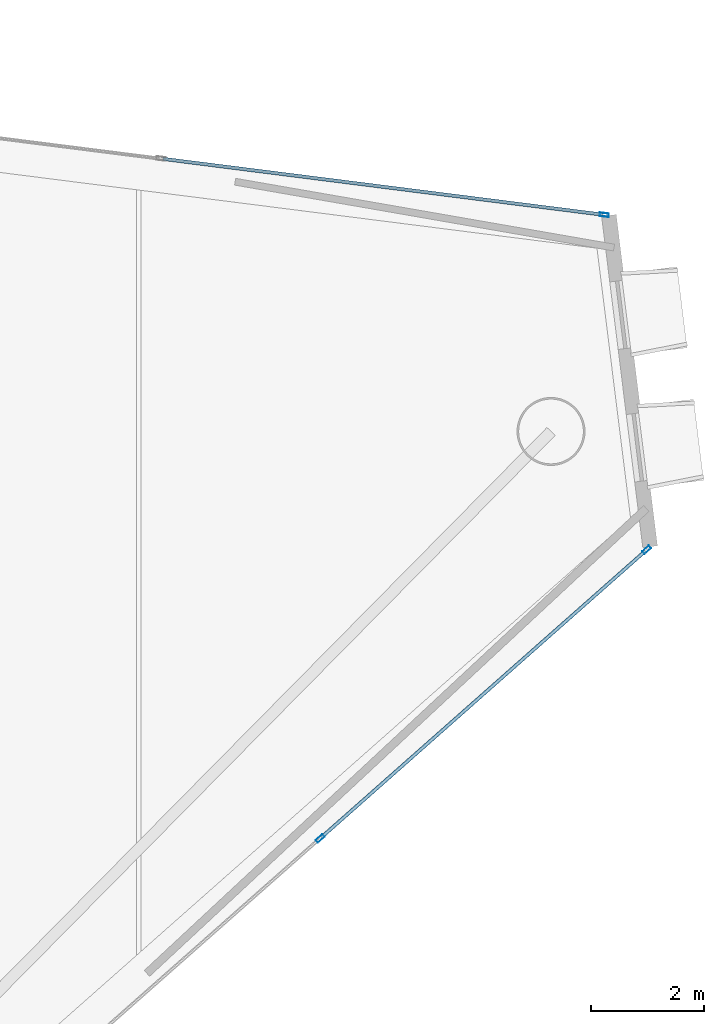
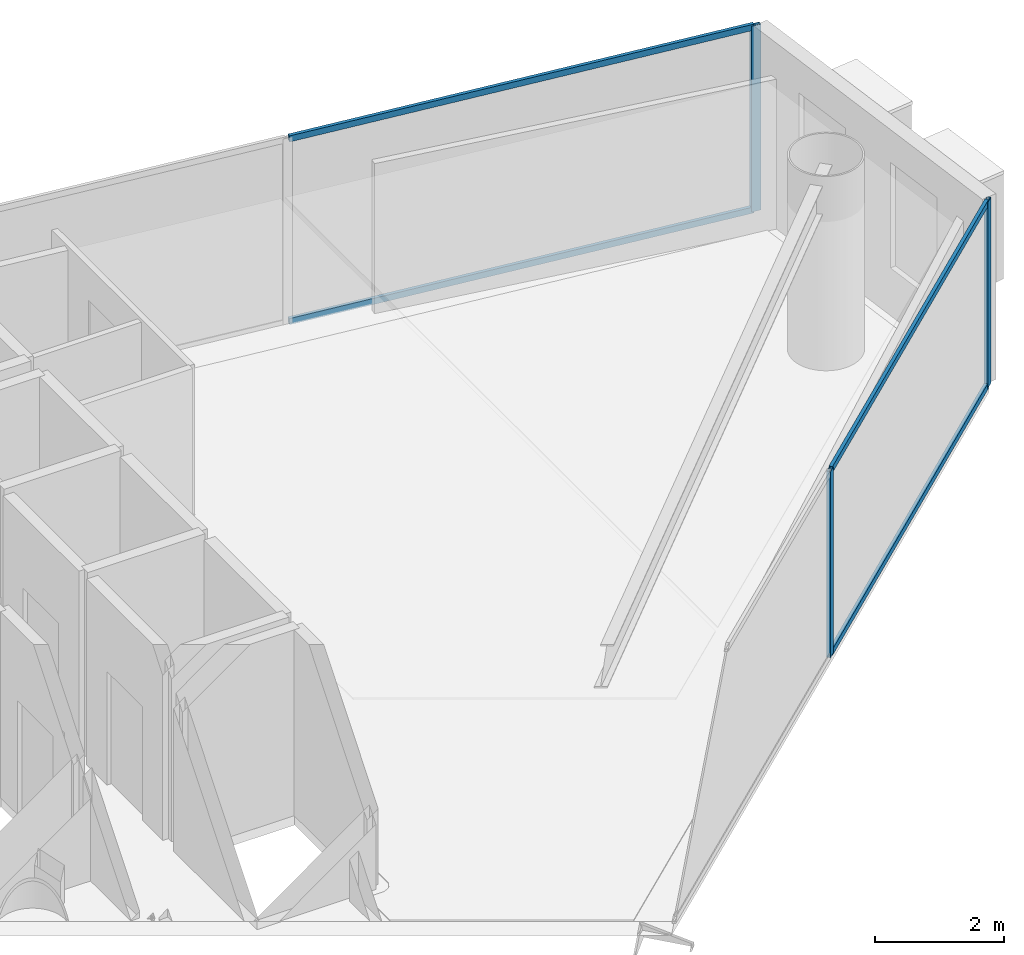
# One storey, part 15 of 23: 7 members, 2 elements without a shape of their own.
"""IFC4 building model written with IfcOpenShell, lengths in metres."""

from ifc_helpers import new_model, si_unit, direction, frame, origin, origin_2d, place, context, subcontext, project, spatial, hollow_rectangle, extrude, material, layer, layer_set, material_profile, profile_set, type_object, element, aggregate, save


model = new_model("IFC4")

# Units and contexts
model_context = context("Model", 3, precision=1e-05, world=origin(), true_north=direction((0.0, 1.0)))
body_context = subcontext(model_context, "Body", "Model", "MODEL_VIEW")
ifc_project = project(units=[si_unit("LENGTHUNIT", "METRE"), si_unit("AREAUNIT", "SQUARE_METRE"), si_unit("VOLUMEUNIT", "CUBIC_METRE"), si_unit("PLANEANGLEUNIT", "RADIAN"), si_unit("MASSUNIT", "GRAM", prefix="KILO")], contexts=[model_context])

# Site, building, storey
site_placement = place(None, origin())
site = spatial("IfcSite", under=ifc_project, at=site_placement, CompositionType="ELEMENT")
building_placement = place(site_placement, origin())
building = spatial("IfcBuilding", under=site, at=building_placement, Name="Qianvela Tower", CompositionType="ELEMENT")
storey_placement = place(building_placement, frame((0.0, 0.0, 218.800048828125)))
storey = spatial("IfcBuildingStorey", under=building, at=storey_placement, Name="L56", CompositionType="ELEMENT", Elevation=218.800048828125)

# Curtain wall, member
ifc_material_1 = material(Name="Anodised Architectural Aluminium and Low-E Glass", Category="aluminium")
ifc_layer = layer(ifc_material_1, 0.159912109375)
ifc_layer_set = layer_set([ifc_layer], Name="Anodised Architectural Aluminium and Low-E Glass")
curtain_wall_type = type_object("IfcCurtainWallType", Name="CW-COLIV-Z56", PredefinedType="USERDEFINED", material=ifc_layer_set)
curtain_wall_1_placement = place(storey_placement, origin())
curtain_wall_1 = element("IfcCurtainWall", 1, at=curtain_wall_1_placement, inside=storey, type_object=curtain_wall_type, Name="L56 CW-COLIV-Z56 Curtain Wall 02A", ObjectType="CURTAIN_WALL_SYSTEM", PredefinedType="USERDEFINED")
ifc_material_2 = material(Name="Anodised Architectural Aluminium 6063-T6", Category="aluminium")
ifc_material_profile_1 = material_profile(ifc_material_2, hollow_rectangle(XDim=0.06494140625, YDim=0.159912109375, WallThickness=0.0048828125, at=origin_2d()), Name="ALU-MULL-65x160")
ifc_profile_set_1 = profile_set([ifc_material_profile_1], Name="Anodised Architectural Aluminium 6063-T6")
member_type_1 = type_object("IfcMemberType", Name="CW-COLIV-Z56-MULL", PredefinedType="MULLION", material=ifc_profile_set_1)
member_1_placement = place(storey_placement, frame((57.8359375, 35.090087890625, 0.0), z_axis=(0.0, 0.0, 1.0), x_axis=(-0.125904009122, -0.992042428774, 0.0)))
member_1 = element("IfcMember", 2, at=member_1_placement, type_object=member_type_1, Name="CW-5 mullion 1", PredefinedType="MULLION", context=body_context, shape_type="SweptSolid", body=[
    extrude(hollow_rectangle(XDim=0.06494140625, YDim=0.159912109375, WallThickness=0.0048828125, at=origin_2d()), origin(), (0.0, 0.0, 1.0), 3.52001953125),
])

# Curtain wall, members
curtain_wall_2_placement = place(storey_placement, origin())
curtain_wall_2 = element("IfcCurtainWall", 3, at=curtain_wall_2_placement, inside=storey, type_object=curtain_wall_type, Name="L56 CW-COLIV-Z56 Curtain Wall 06C", ObjectType="CURTAIN_WALL_SYSTEM", PredefinedType="USERDEFINED")
member_2_placement = place(storey_placement, frame((52.825439453125, 24.09326171875, 0.0), z_axis=(0.0, 0.0, 1.0), x_axis=(-0.662268942187, 0.749266206508, 0.0)))
member_2 = element("IfcMember", 4, at=member_2_placement, type_object=member_type_1, Name="CW-5 mullion 2", PredefinedType="MULLION", context=body_context, shape_type="SweptSolid", body=[
    extrude(hollow_rectangle(XDim=0.06494140625, YDim=0.159912109375, WallThickness=0.0048828125, at=origin_2d()), origin(), (0.0, 0.0, 1.0), 3.52001953125),
])
member_3_placement = place(storey_placement, frame((58.58349609375, 29.1826171875, 0.0), z_axis=(0.0, 0.0, 1.0), x_axis=(-0.662268942187, 0.749266206508, 0.0)))
member_3 = element("IfcMember", 5, at=member_3_placement, type_object=member_type_1, Name="CW-5 mullion 3", PredefinedType="MULLION", context=body_context, shape_type="SweptSolid", body=[
    extrude(hollow_rectangle(XDim=0.06494140625, YDim=0.159912109375, WallThickness=0.0048828125, at=origin_2d()), origin(), (0.0, 0.0, 1.0), 3.52001953125),
])

# Member
ifc_material_3 = material(Name="Anodised Architectural Aluminium 6063-T6", Category="aluminium")
ifc_material_profile_2 = material_profile(ifc_material_3, hollow_rectangle(XDim=0.06005859375, YDim=0.114990234375, WallThickness=0.00390625, at=origin_2d()), Name="ALU-TRAN-60x115")
ifc_profile_set_2 = profile_set([ifc_material_profile_2], Name="Anodised Architectural Aluminium 6063-T6")
member_type_2 = type_object("IfcMemberType", Name="CW-COLIV-Z56-TRAN", PredefinedType="USERDEFINED", material=ifc_profile_set_2)
member_4_placement = place(storey_placement, frame((57.8037109375, 35.09423828125, 0.030029296875), z_axis=(-0.992041971668, 0.125907610769, 0.0), x_axis=(-0.125907610769, -0.992041971668, 0.0)))
member_4 = element("IfcMember", 6, at=member_4_placement, type_object=member_type_2, Name="CW-5 transom 1.1", ObjectType="TRANSOM", PredefinedType="USERDEFINED", context=body_context, shape_type="SweptSolid", body=[
    extrude(hollow_rectangle(XDim=0.06005859375, YDim=0.114990234375, WallThickness=0.00390625, at=origin_2d()), origin(), (0.0, 0.0, 1.0), 7.8125),
])

member_5_placement = place(storey_placement, frame((57.8037109375, 35.09423828125, 3.489990234375), z_axis=(-0.992041971668, 0.125907610769, 0.0), x_axis=(-0.125907610769, -0.992041971668, 0.0)))
member_5 = element("IfcMember", 7, at=member_5_placement, type_object=member_type_2, Name="CW-5 transom 1.2", ObjectType="TRANSOM", PredefinedType="USERDEFINED", context=body_context, shape_type="SweptSolid", body=[
    extrude(hollow_rectangle(XDim=0.06005859375, YDim=0.114990234375, WallThickness=0.00390625, at=origin_2d()), origin(), (0.0, 0.0, 1.0), 7.8125),
])

aggregate(curtain_wall_1, [member_1, member_4, member_5])

member_6_placement = place(storey_placement, frame((52.849609375, 24.11474609375, 0.030029296875), z_axis=(0.749276582265, 0.662257203259, 0.0), x_axis=(-0.662257203259, 0.749276582265, 0.0)))
member_6 = element("IfcMember", 8, at=member_6_placement, type_object=member_type_2, Name="CW-5 transom 2.1", ObjectType="TRANSOM", PredefinedType="USERDEFINED", context=body_context, shape_type="SweptSolid", body=[
    extrude(hollow_rectangle(XDim=0.06005859375, YDim=0.114990234375, WallThickness=0.00390625, at=origin_2d()), origin(), (0.0, 0.0, 1.0), 7.619873046875),
])

member_7_placement = place(storey_placement, frame((52.849609375, 24.11474609375, 3.489990234375), z_axis=(0.749276582265, 0.662257203259, 0.0), x_axis=(-0.662257203259, 0.749276582265, 0.0)))
member_7 = element("IfcMember", 9, at=member_7_placement, type_object=member_type_2, Name="CW-5 transom 2.2", ObjectType="TRANSOM", PredefinedType="USERDEFINED", context=body_context, shape_type="SweptSolid", body=[
    extrude(hollow_rectangle(XDim=0.06005859375, YDim=0.114990234375, WallThickness=0.00390625, at=origin_2d()), origin(), (0.0, 0.0, 1.0), 7.619873046875),
])

aggregate(curtain_wall_2, [member_2, member_3, member_6, member_7])

save(model, "model.ifc")
